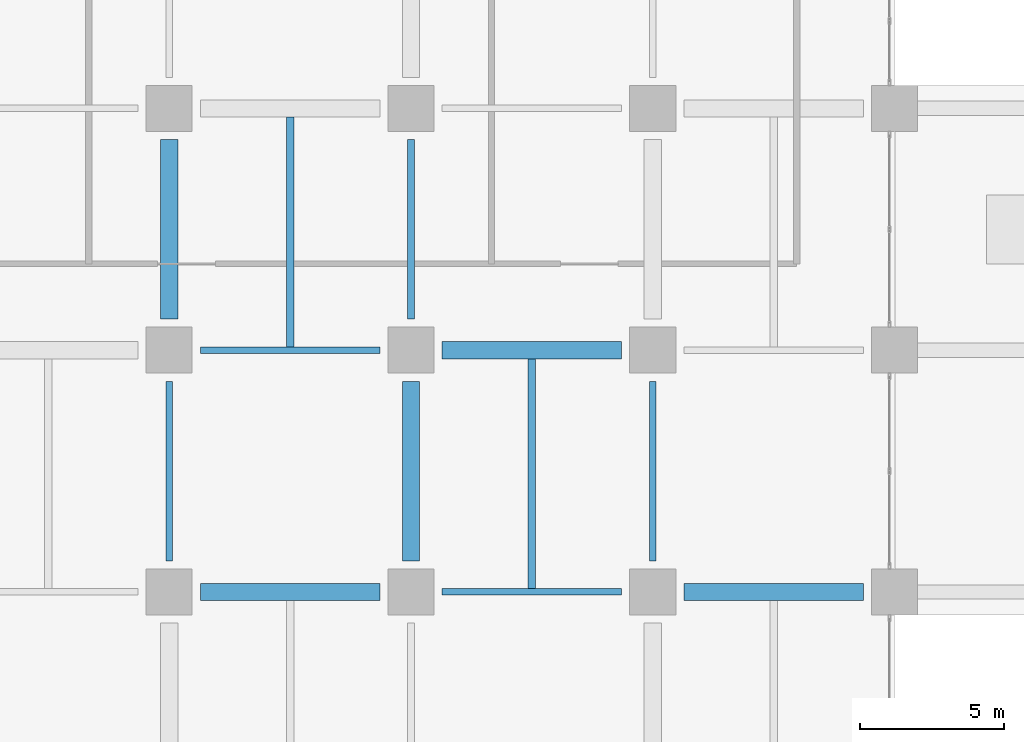
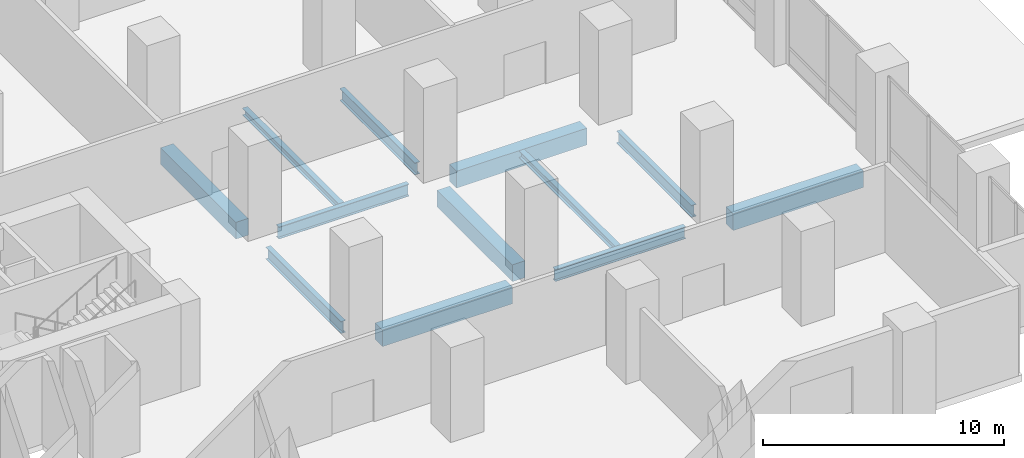
# One storey, part 4 of 22: 12 beams.
"""IFC4 building model written with IfcOpenShell, lengths in metres."""

from ifc_helpers import new_model, si_unit, direction, frame, origin, origin_2d, place, context, subcontext, project, spatial, rectangle, i_section, extrude, material, material_profile, profile_set, type_object, element, save


model = new_model("IFC4")

# Units and contexts
model_context = context("Model", 3, precision=1e-05, world=origin(), true_north=direction((0.0, 1.0)))
body_context = subcontext(model_context, "Body", "Model", "MODEL_VIEW")
ifc_project = project(units=[si_unit("LENGTHUNIT", "METRE"), si_unit("AREAUNIT", "SQUARE_METRE"), si_unit("VOLUMEUNIT", "CUBIC_METRE"), si_unit("PLANEANGLEUNIT", "RADIAN"), si_unit("MASSUNIT", "GRAM", prefix="KILO")], contexts=[model_context])

# Site, building, storey
site_placement = place(None, origin())
site = spatial("IfcSite", under=ifc_project, at=site_placement, CompositionType="ELEMENT")
building_placement = place(site_placement, origin())
building = spatial("IfcBuilding", under=site, at=building_placement, Name="Koriwani Terraces Tower", CompositionType="ELEMENT")
storey_placement = place(building_placement, frame((0.0, 0.0, 6.0)))
storey = spatial("IfcBuildingStorey", under=building, at=storey_placement, Name="L01", CompositionType="ELEMENT", Elevation=6.0)

# Beams
ifc_material_1 = material(Name="Concrete C60/75", Category="concrete")
ifc_material_profile_1 = material_profile(ifc_material_1, rectangle(XDim=0.60009765625, YDim=0.85009765625, at=origin_2d()), Name="Concrete C60/75", Category="LoadBearing")
ifc_profile_set_1 = profile_set([ifc_material_profile_1], Name="Concrete C60/75")
beam_type_1 = type_object("IfcBeamType", Name="BEAM_RC_GRID_600X850", PredefinedType="BEAM", material=ifc_profile_set_1)
for number, where, z_axis, x_axis, name in (
    (1, (68.280029296875, 16.800048828125, -0.77490234375), (1.0, 0.0, 0.0), (0.0, 1.0, 0.0), "L01 Grid Beam C (67.2-75.6m)"),
    (2, (85.080078125, 16.800048828125, -0.77490234375), (1.0, 0.0, 0.0), (0.0, 1.0, 0.0), "L01 Grid Beam C (84.0-92.4m)"),
    (3, (76.679931640625, 25.199951171875, -0.77490234375), (1.0, 0.0, 0.0), (0.0, 1.0, 0.0), "L01 Grid Beam D (75.6-84.0m)"),
    (4, (67.199951171875, 26.280029296875, -0.77490234375), (0.0, 1.0, 0.0), (-1.0, 0.0, 0.0), "L01 Grid Beam 9 (25.2-33.6m)"),
):
    element("IfcBeam", number, at=place(storey_placement, frame(where, z_axis=z_axis, x_axis=x_axis)), inside=storey, type_object=beam_type_1, Name=name, PredefinedType="BEAM", context=body_context, shape_type="SweptSolid", body=[
        extrude(rectangle(XDim=0.60009765625, YDim=0.85009765625, at=origin_2d()), origin(), (0.0, 0.0, 1.0), 6.239990234375),
    ])
beam_1_placement = place(storey_placement, frame((75.60009765625, 17.8798828125, -0.77490234375), z_axis=(0.0, 1.0, 0.0), x_axis=(-1.0, 0.0, 0.0)))
element("IfcBeam", 5, at=beam_1_placement, inside=storey, type_object=beam_type_1, Name="L01 Grid Beam 10 (16.8-25.2m)", PredefinedType="BEAM", context=body_context, shape_type="SweptSolid", body=[
    extrude(rectangle(XDim=0.60009765625, YDim=0.85009765625, at=origin_2d()), origin(), (0.0, 0.0, 1.0), 6.240234375),
])
ifc_material_2 = material(Name="Steel ASTM A572 Grade 50", Category="steel")
ifc_material_profile_2 = material_profile(ifc_material_2, i_section(OverallWidth=0.257080078125, OverallDepth=0.363037109375, WebThickness=0.012939453125, FlangeThickness=0.021728515625, at=origin_2d()), Name="Steel ASTM A572 Grade 50", Category="LoadBearing")
ifc_profile_set_2 = profile_set([ifc_material_profile_2], Name="Steel ASTM A572 Grade 50")
beam_type_2 = type_object("IfcBeamType", Name="STEEL_BEAM_W360X122", PredefinedType="JOIST", material=ifc_profile_set_2)
beam_2_placement = place(storey_placement, frame((71.39990234375, 25.304443359375, -0.531494140625), z_axis=(0.0, 1.0, 0.0), x_axis=(-1.0, 0.0, 0.0)))
element("IfcBeam", 6, at=beam_2_placement, inside=storey, type_object=beam_type_2, Name="L01 Secondary Steel Floor Joist X=71.4m", PredefinedType="JOIST", context=body_context, shape_type="SweptSolid", body=[
    extrude(i_section(OverallWidth=0.257080078125, OverallDepth=0.363037109375, WebThickness=0.012939453125, FlangeThickness=0.021728515625, at=origin_2d()), origin(), (0.0, 0.0, 1.0), 8.005615234375),
])
beam_3_placement = place(storey_placement, frame((79.800048828125, 16.904541015625, -0.531494140625), z_axis=(0.0, 1.0, 0.0), x_axis=(-1.0, 0.0, 0.0)))
element("IfcBeam", 7, at=beam_3_placement, inside=storey, type_object=beam_type_2, Name="L01 Secondary Steel Floor Joist X=79.8m", PredefinedType="JOIST", context=body_context, shape_type="SweptSolid", body=[
    extrude(i_section(OverallWidth=0.257080078125, OverallDepth=0.363037109375, WebThickness=0.012939453125, FlangeThickness=0.021728515625, at=origin_2d()), origin(), (0.0, 0.0, 1.0), 8.00537109375),
])
ifc_material_profile_3 = material_profile(ifc_material_2, i_section(OverallWidth=0.22900390625, OverallDepth=0.611083984375, WebThickness=0.0126953125, FlangeThickness=0.022216796875, at=origin_2d()), Name="Steel ASTM A572 Grade 50", Category="LoadBearing")
ifc_profile_set_3 = profile_set([ifc_material_profile_3], Name="Steel ASTM A572 Grade 50")
beam_type_3 = type_object("IfcBeamType", Name="STEEL_BEAM_W610X155", PredefinedType="BEAM", material=ifc_profile_set_3)
for number, where, z_axis, x_axis, name in (
    (8, (76.679931640625, 16.800048828125, -0.655517578125), (1.0, 0.0, 0.0), (0.0, 1.0, 0.0), "L01 Grid Beam C (75.6-84.0m)"),
    (9, (68.280029296875, 25.199951171875, -0.655517578125), (1.0, 0.0, 0.0), (0.0, 1.0, 0.0), "L01 Grid Beam D (67.2-75.6m)"),
):
    element("IfcBeam", number, at=place(storey_placement, frame(where, z_axis=z_axis, x_axis=x_axis)), inside=storey, type_object=beam_type_3, Name=name, PredefinedType="BEAM", context=body_context, shape_type="SweptSolid", body=[
        extrude(i_section(OverallWidth=0.22900390625, OverallDepth=0.611083984375, WebThickness=0.0126953125, FlangeThickness=0.022216796875, at=origin_2d()), origin(), (0.0, 0.0, 1.0), 6.239990234375),
    ])
beam_4_placement = place(storey_placement, frame((67.199951171875, 17.8798828125, -0.655517578125), z_axis=(0.0, 1.0, 0.0), x_axis=(-1.0, 0.0, 0.0)))
element("IfcBeam", 10, at=beam_4_placement, inside=storey, type_object=beam_type_3, Name="L01 Grid Beam 9 (16.8-25.2m)", PredefinedType="BEAM", context=body_context, shape_type="SweptSolid", body=[
    extrude(i_section(OverallWidth=0.22900390625, OverallDepth=0.611083984375, WebThickness=0.0126953125, FlangeThickness=0.022216796875, at=origin_2d()), origin(), (0.0, 0.0, 1.0), 6.240234375),
])
beam_5_placement = place(storey_placement, frame((75.60009765625, 26.280029296875, -0.655517578125), z_axis=(0.0, 1.0, 0.0), x_axis=(-1.0, 0.0, 0.0)))
element("IfcBeam", 11, at=beam_5_placement, inside=storey, type_object=beam_type_3, Name="L01 Grid Beam 10 (25.2-33.6m)", PredefinedType="BEAM", context=body_context, shape_type="SweptSolid", body=[
    extrude(i_section(OverallWidth=0.22900390625, OverallDepth=0.611083984375, WebThickness=0.0126953125, FlangeThickness=0.022216796875, at=origin_2d()), origin(), (0.0, 0.0, 1.0), 6.239990234375),
])
beam_6_placement = place(storey_placement, frame((84.0, 17.8798828125, -0.655517578125), z_axis=(0.0, 1.0, 0.0), x_axis=(-1.0, 0.0, 0.0)))
element("IfcBeam", 12, at=beam_6_placement, inside=storey, type_object=beam_type_3, Name="L01 Grid Beam 11 (16.8-25.2m)", PredefinedType="BEAM", context=body_context, shape_type="SweptSolid", body=[
    extrude(i_section(OverallWidth=0.22900390625, OverallDepth=0.611083984375, WebThickness=0.0126953125, FlangeThickness=0.022216796875, at=origin_2d()), origin(), (0.0, 0.0, 1.0), 6.240234375),
])

save(model, "model.ifc")
